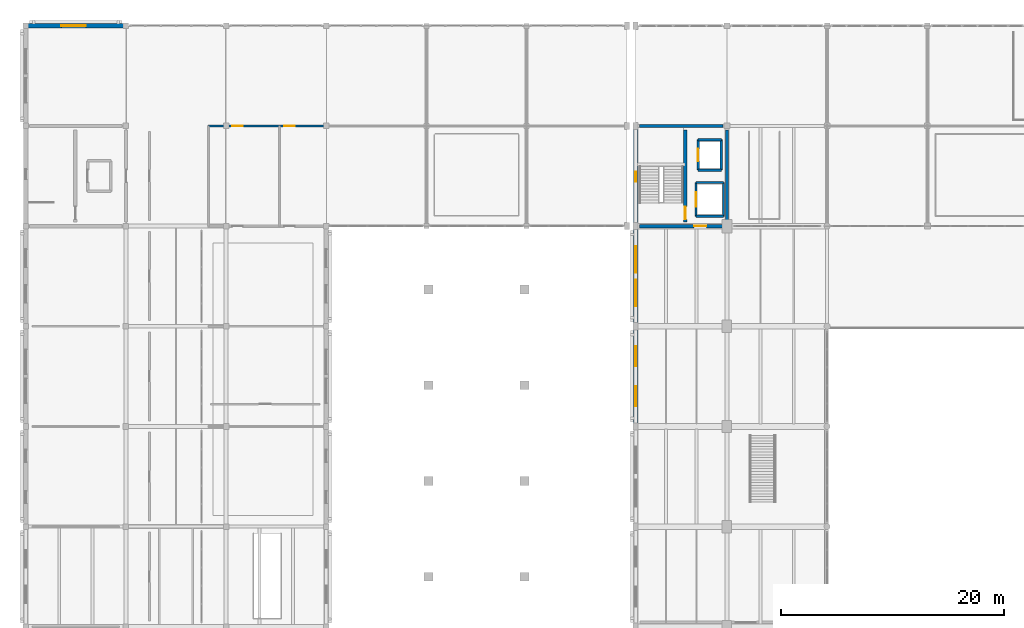
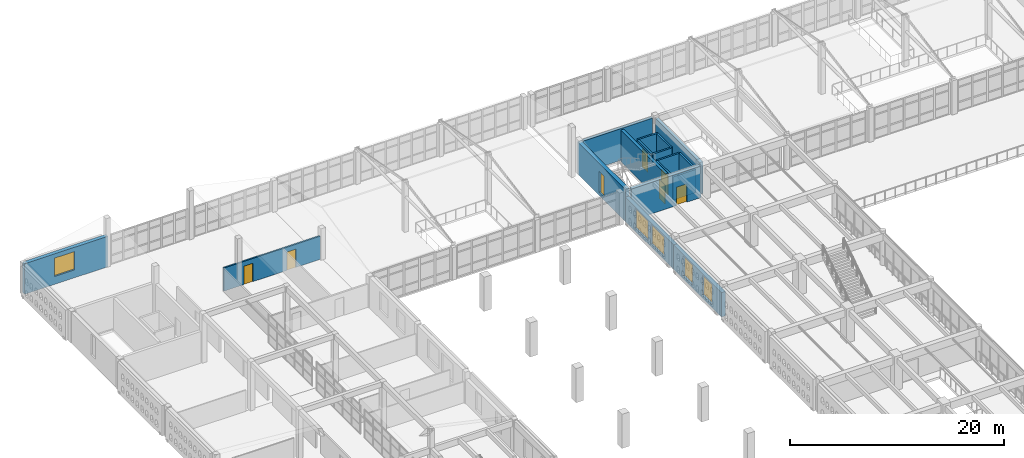
# One storey, part 132 of 156: 17 walls, 6 doors, 6 windows, 12 openings.
"""IFC4 building model written with IfcOpenShell, lengths in metres."""

import ifcopenshell
import ifcopenshell.guid

model = None  # the IFC model being written
_history = None  # IfcOwnerHistory: only IFC2X3 demands one
_inside = {}  # id of a spatial element -> (the spatial element, [elements in it])
_under = {}  # id of a project, library or spatial element -> (it, [spatial elements below it])
_declared = {}  # id of a project -> (the project, [libraries it declares])
_typed = {}  # id of a type object -> (the type object, [elements of that type])
_made_of = {}  # id of a material, layer set ... -> (it, [elements and type objects made of it])


def new_model(schema):
    """Start an empty IFC model of exactly this schema.

    Asked for "IFC4X3", IfcOpenShell would pick the latest addendum, in which some entities
    have other attributes; the version numbers below select the first issue.
    IFC2X3 requires an IfcOwnerHistory on every rooted entity: one is made here for all.
    """
    global model, _history
    if schema == "IFC4X3":
        model = ifcopenshell.file(schema_version=(4, 3, 0, 0))
    else:
        model = ifcopenshell.file(schema=schema)
    _inside.clear()
    _under.clear()
    _declared.clear()
    _typed.clear()
    _made_of.clear()
    _history = None
    if model.schema == "IFC2X3":
        org = make("IfcOrganization", Name="unknown")
        user = make(
            "IfcPersonAndOrganization",
            ThePerson=make("IfcPerson", FamilyName="unknown"),
            TheOrganization=org,
        )
        app = make(
            "IfcApplication",
            ApplicationDeveloper=org,
            Version="unknown",
            ApplicationFullName="unknown",
            ApplicationIdentifier="unknown",
        )
        _history = make(
            "IfcOwnerHistory",
            OwningUser=user,
            OwningApplication=app,
            ChangeAction="ADDED",
            CreationDate=0,
        )
    return model


def make(cls, **values):
    """One entity of the class cls with the attributes given. An attribute that is None is left unset."""
    return model.create_entity(
        cls, **{name: value for name, value in values.items() if value is not None}
    )


def rooted(cls, **values):
    """An entity with a GlobalId (a new one), such as an element, a storey or a relation."""
    return make(cls, GlobalId=ifcopenshell.guid.new(), OwnerHistory=_history, **values)


def si_unit(unit_type, name, prefix=None):
    """IfcSIUnit, for example si_unit("LENGTHUNIT", "METRE", prefix="MILLI")."""
    return make("IfcSIUnit", UnitType=unit_type, Prefix=prefix, Name=name)


def assignment(units):
    """IfcUnitAssignment: the units of a project."""
    return None if units is None else make("IfcUnitAssignment", Units=units)


def point(xyz):
    """IfcCartesianPoint."""
    return None if xyz is None else make("IfcCartesianPoint", Coordinates=xyz)


def direction(xyz):
    """IfcDirection."""
    return None if xyz is None else make("IfcDirection", DirectionRatios=xyz)


def frame(location, z_axis=None, x_axis=None):
    """IfcAxis2Placement3D, a coordinate frame: its origin and axes. An axis left out is left unset."""
    return make(
        "IfcAxis2Placement3D",
        Location=point(location),
        Axis=direction(z_axis),
        RefDirection=direction(x_axis),
    )


def frame_2d(location, x_axis=None):
    """IfcAxis2Placement2D, a coordinate frame in the plane: its origin and x axis."""
    return make(
        "IfcAxis2Placement2D", Location=point(location), RefDirection=direction(x_axis)
    )


def origin():
    """The frame at (0, 0, 0) with its axes left unset."""
    return frame((0.0, 0.0, 0.0))


def place(relative_to, where):
    """IfcLocalPlacement: puts the frame where relative to a parent placement (None: the world)."""
    return make(
        "IfcLocalPlacement", PlacementRelTo=relative_to, RelativePlacement=where
    )


def context(
    kind, dimensions, precision=None, world=None, true_north=None, identifier=None
):
    """IfcGeometricRepresentationContext, for example the 3D "Model" context."""
    return make(
        "IfcGeometricRepresentationContext",
        ContextIdentifier=identifier,
        ContextType=kind,
        CoordinateSpaceDimension=dimensions,
        Precision=precision,
        WorldCoordinateSystem=world,
        TrueNorth=true_north,
    )


def subcontext(parent, identifier, kind, view, scale=None):
    """IfcGeometricRepresentationSubContext, for example "Body" below "Model"."""
    return make(
        "IfcGeometricRepresentationSubContext",
        ContextIdentifier=identifier,
        ContextType=kind,
        ParentContext=parent,
        TargetScale=scale,
        TargetView=view,
    )


def project(units=None, contexts=None):
    """IfcProject with its units and contexts."""
    return rooted(
        "IfcProject",
        Name="project",
        RepresentationContexts=contexts,
        UnitsInContext=assignment(units),
    )


def spatial(cls, under=None, at=None, **own):
    """A site, building, storey or space (cls), placed at a placement, below another one or the project."""
    s = rooted(cls, ObjectPlacement=at, **own)
    if under is not None:
        _under.setdefault(under.id(), (under, []))[1].append(s)
    return s


def profile(cls, at=None, kind="AREA", **sizes):
    """A parametric profile (cls). Its sizes go by their IFC names, for example OverallWidth=200.0."""
    return make(cls, ProfileType=kind, Position=at, **sizes)


def rectangle(**sizes):
    """IfcRectangleProfileDef."""
    return profile("IfcRectangleProfileDef", **sizes)


def extrude(swept, where, along, depth):
    """IfcExtrudedAreaSolid: the profile swept, set in the frame where, extruded along a direction by depth."""
    return make(
        "IfcExtrudedAreaSolid",
        SweptArea=swept,
        Position=where,
        ExtrudedDirection=direction(along),
        Depth=depth,
    )


def shape(context_of_items, identifier, shape_type, items):
    """IfcShapeRepresentation: the items that make up one representation, for example the "Body"."""
    return make(
        "IfcShapeRepresentation",
        ContextOfItems=context_of_items,
        RepresentationIdentifier=identifier,
        RepresentationType=shape_type,
        Items=items,
    )


def material(Name=None, Category=None):
    """IfcMaterial."""
    return make("IfcMaterial", Name=Name, Category=Category)


def layer(
    of_material, thickness, ventilated=None, Name=None, Category=None, Priority=None
):
    """IfcMaterialLayer: one layer of a wall or slab, of a material (None: an air gap)."""
    return make(
        "IfcMaterialLayer",
        Material=of_material,
        LayerThickness=thickness,
        IsVentilated=ventilated,
        Name=Name,
        Category=Category,
        Priority=Priority,
    )


def layer_set(layers, Name=None):
    """IfcMaterialLayerSet."""
    return make("IfcMaterialLayerSet", MaterialLayers=layers, LayerSetName=Name)


def made_of(thing, what):
    """Note that an element or type object is made of a material, layer set ...; save() writes the relation."""
    if what is not None:
        _made_of.setdefault(what.id(), (what, []))[1].append(thing)
    return thing


def type_object(cls, material=None, **own):
    """A type object (cls), such as IfcWallType, which elements share."""
    return made_of(rooted(cls, **own), material)


def element(
    cls,
    number,
    at=None,
    inside=None,
    cuts=None,
    type_object=None,
    material=None,
    context=None,
    identifier="Body",
    shape_type=None,
    held_by="IfcProductDefinitionShape",
    body=None,
    shapes=None,
    **own,
):
    """One element of the class cls, such as IfcWall. Its Tag is "e" and its number.

    at: its placement. inside: the storey or other place that contains it. cuts: it is an
    opening in that element (IfcRelVoidsElement). A single representation is given by context,
    identifier, shape_type and body (its items); several are given by shapes. held_by: the class
    of the entity that holds the representations. save() writes the other relations.
    """
    e = rooted(cls, Tag="e%d" % number, ObjectPlacement=at, **own)
    if body is not None:
        shapes = [shape(context, identifier, shape_type, body)]
    if shapes is not None:
        e.Representation = make(held_by, Representations=shapes)
    if inside is not None:
        _inside.setdefault(inside.id(), (inside, []))[1].append(e)
    if cuts is not None:
        rooted(
            "IfcRelVoidsElement", RelatingBuildingElement=cuts, RelatedOpeningElement=e
        )
    if type_object is not None:
        _typed.setdefault(type_object.id(), (type_object, []))[1].append(e)
    return made_of(e, material)


def fill(opening, filler):
    """IfcRelFillsElement: the door or window that sits in an opening."""
    return rooted(
        "IfcRelFillsElement",
        RelatingOpeningElement=opening,
        RelatedBuildingElement=filler,
    )


def aggregate(whole, parts):
    """IfcRelAggregates: a whole, such as a stair, and the parts it consists of."""
    return rooted("IfcRelAggregates", RelatingObject=whole, RelatedObjects=parts)


def save(model, path):
    """Write the relations noted so far, then the file.

    IfcRelAggregates (storeys below a building ...), IfcRelContainedInSpatialStructure (elements
    in a storey), IfcRelDefinesByType, IfcRelAssociatesMaterial and IfcRelDeclares: one each for
    every whole, place, type object, material and project.
    """
    for whole, parts in _under.values():
        aggregate(whole, parts)
    for where, things in _inside.values():
        rooted(
            "IfcRelContainedInSpatialStructure",
            RelatedElements=things,
            RelatingStructure=where,
        )
    for kind, things in _typed.values():
        rooted("IfcRelDefinesByType", RelatedObjects=things, RelatingType=kind)
    for what, things in _made_of.values():
        rooted("IfcRelAssociatesMaterial", RelatedObjects=things, RelatingMaterial=what)
    for by, libraries in _declared.values():
        rooted("IfcRelDeclares", RelatingContext=by, RelatedDefinitions=libraries)
    model.write(path)


model = new_model("IFC4")

# Units and contexts
model_context = context("Model", 3, precision=1e-05, world=origin(), true_north=direction((0.0, 1.0)))
body_context = subcontext(model_context, "Body", "Model", "MODEL_VIEW")
ifc_project = project(units=[si_unit("LENGTHUNIT", "METRE"), si_unit("AREAUNIT", "SQUARE_METRE"), si_unit("VOLUMEUNIT", "CUBIC_METRE"), si_unit("PLANEANGLEUNIT", "RADIAN"), si_unit("MASSUNIT", "GRAM", prefix="KILO")], contexts=[model_context])

# Site, building, storey
site_placement = place(None, origin())
site = spatial("IfcSite", under=ifc_project, at=site_placement, CompositionType="ELEMENT")
building_placement = place(site_placement, origin())
building = spatial("IfcBuilding", under=site, at=building_placement, Name="Ornek Quay Market", CompositionType="ELEMENT")
storey_placement = place(building_placement, frame((0.0, 0.0, 4.5)))
storey = spatial("IfcBuildingStorey", under=building, at=storey_placement, Name="L01", CompositionType="ELEMENT", Elevation=4.5)

# Wall, opening, door
ifc_material_1 = material(Name="Concrete C40/50", Category="concrete")
ifc_layer_1 = layer(ifc_material_1, 0.300048828125, Name="Concrete C40/50", Category="concrete")
ifc_layer_set_1 = layer_set([ifc_layer_1], Name="Concrete C40/50")
wall_type_1 = type_object("IfcWallType", Name="WL-CORE-300", PredefinedType="SHEAR", material=ifc_layer_set_1)
wall_1_placement = place(storey_placement, frame((59.25, 92.35009765625, 0.0), z_axis=(0.0, 0.0, 1.0), x_axis=(0.0, 1.0, 0.0)))
wall_1 = element("IfcWall", 1, at=wall_1_placement, inside=storey, type_object=wall_type_1, Name="Interior wall W-CORE1-050", PredefinedType="SHEAR", context=body_context, shape_type="SweptSolid", body=[
    extrude(rectangle(XDim=8.2998046875, YDim=0.300048828125, at=frame_2d((4.14990234375, 0.0))), origin(), (0.0, 0.0, 1.0), 3.6201171875),
])
opening_1_placement = place(wall_1_placement, frame((0.25, 0.0, 0.0)))
opening_1 = element("IfcOpeningElement", 2, at=opening_1_placement, cuts=wall_1, Name="Opening FD-03-022", PredefinedType="OPENING", context=body_context, shape_type="SweptSolid", body=[
    extrude(rectangle(XDim=1.14990234375, YDim=2.14990234375, at=frame_2d((0.574951171875, 1.074951171875))), frame((0.0, 0.159912109375, 0.0), z_axis=(0.0, -1.0, 0.0), x_axis=(1.0, 0.0, 0.0)), (0.0, 0.0, 1.0), 0.320068359375),
])
ifc_material_2 = material(Name="Insulated fire-rated painted steel", Category="steel")
door_type_1 = type_object("IfcDoorType", Name="DR-FIRE-STAIR-1150x2150", OperationType="NOTDEFINED", PredefinedType="DOOR", material=ifc_material_2)
door_1_placement = place(opening_1_placement, origin())
door_1 = element("IfcDoor", 3, at=door_1_placement, inside=storey, type_object=door_type_1, Name="Interior door FD-03-022", OperationType="SINGLE_SWING_LEFT", OverallHeight=2.14990234375, OverallWidth=1.14990234375, PredefinedType="DOOR", context=body_context, shape_type="SweptSolid", body=[
    extrude(rectangle(XDim=1.14990234375, YDim=2.14990234375, at=frame_2d((0.574951171875, 1.074951171875))), frame((0.0, 0.02490234375, 0.0), z_axis=(0.0, -1.0, 0.0), x_axis=(1.0, 0.0, 0.0)), (0.0, 0.0, 1.0), 0.050048828125),
])
fill(opening_1, door_1)

# Wall
wall_2_placement = place(storey_placement, frame((63.0, 92.35009765625, 0.0), z_axis=(0.0, 0.0, 1.0), x_axis=(0.0, 1.0, 0.0)))
element("IfcWall", 4, at=wall_2_placement, inside=storey, type_object=wall_type_1, Name="Interior wall W-CORE1-051", PredefinedType="SHEAR", context=body_context, shape_type="SweptSolid", body=[
    extrude(rectangle(XDim=8.2998046875, YDim=0.300048828125, at=frame_2d((4.14990234375, 0.0))), origin(), (0.0, 0.0, 1.0), 3.6201171875),
])

# Wall, opening, door
wall_3_placement = place(storey_placement, frame((55.14990234375, 92.0, 0.0), z_axis=(0.0, 0.0, 1.0), x_axis=(1.0, 0.0, 0.0)))
wall_3 = element("IfcWall", 5, at=wall_3_placement, inside=storey, type_object=wall_type_1, Name="Interior wall W-CORE1-052", PredefinedType="SHEAR", context=body_context, shape_type="SweptSolid", body=[
    extrude(rectangle(XDim=7.5, YDim=0.300048828125, at=frame_2d((3.75, 0.0))), origin(), (0.0, 0.0, 1.0), 3.6201171875),
])
opening_2_placement = place(wall_3_placement, frame((4.89990234375, 0.0, 0.0)))
opening_2 = element("IfcOpeningElement", 6, at=opening_2_placement, cuts=wall_3, Name="Opening FD-04-023", PredefinedType="OPENING", context=body_context, shape_type="SweptSolid", body=[
    extrude(rectangle(XDim=1.10009765625, YDim=2.10009765625, at=frame_2d((0.550048828125, 1.050048828125))), frame((0.0, 0.159912109375, 0.0), z_axis=(0.0, -1.0, 0.0), x_axis=(1.0, 0.0, 0.0)), (0.0, 0.0, 1.0), 0.320068359375),
])
door_type_2 = type_object("IfcDoorType", Name="DR-FIRE-LOBBY-1100x2100", OperationType="NOTDEFINED", PredefinedType="DOOR", material=ifc_material_2)
door_2_placement = place(opening_2_placement, origin())
door_2 = element("IfcDoor", 7, at=door_2_placement, inside=storey, type_object=door_type_2, Name="Interior door FD-04-023", OperationType="SINGLE_SWING_RIGHT", OverallHeight=2.10009765625, OverallWidth=1.10009765625, PredefinedType="DOOR", context=body_context, shape_type="SweptSolid", body=[
    extrude(rectangle(XDim=1.10009765625, YDim=2.10009765625, at=frame_2d((0.550048828125, 1.050048828125))), frame((0.0, 0.02490234375, 0.0), z_axis=(0.0, -1.0, 0.0), x_axis=(1.0, 0.0, 0.0)), (0.0, 0.0, 1.0), 0.050048828125),
])
fill(opening_2, door_2)

# Wall
wall_4_placement = place(storey_placement, frame((55.14990234375, 101.0, 0.0), z_axis=(0.0, 0.0, 1.0), x_axis=(1.0, 0.0, 0.0)))
element("IfcWall", 8, at=wall_4_placement, inside=storey, type_object=wall_type_1, Name="Interior wall W-CORE1-053", PredefinedType="SHEAR", context=body_context, shape_type="SweptSolid", body=[
    extrude(rectangle(XDim=7.5, YDim=0.300048828125, at=frame_2d((3.75, 0.0))), origin(), (0.0, 0.0, 1.0), 3.6201171875),
])

# Wall, opening, window
ifc_material_3 = material(Name="Frost-resistant facing clay brick M200 F100", Category="masonry")
ifc_layer_2 = layer(ifc_material_3, 0.419921875, Name="Frost-resistant facing clay brick M200 F100", Category="masonry")
ifc_layer_set_2 = layer_set([ifc_layer_2], Name="Frost-resistant facing clay brick M200 F100")
wall_type_2 = type_object("IfcWallType", Name="WL-EXT-HALL-420", PredefinedType="STANDARD", material=ifc_layer_set_2)
wall_5_placement = place(storey_placement, frame((54.800048828125, 92.0, 0.0), z_axis=(0.0, 0.0, 1.0), x_axis=(0.0, 1.0, 0.0)))
wall_5 = element("IfcWall", 9, at=wall_5_placement, inside=storey, type_object=wall_type_2, Name="Exterior wall EW-111", PredefinedType="STANDARD", context=body_context, shape_type="SweptSolid", body=[
    extrude(rectangle(XDim=9.0, YDim=0.419921875, at=frame_2d((4.5, 0.0))), origin(), (0.0, 0.0, 1.0), 3.659912109375),
])
opening_3_placement = place(wall_5_placement, frame((4.0, 0.0, 0.35009765625)))
opening_3 = element("IfcOpeningElement", 10, at=opening_3_placement, cuts=wall_5, Name="Opening W-17-070", PredefinedType="OPENING", context=body_context, shape_type="SweptSolid", body=[
    extrude(rectangle(XDim=0.89990234375, YDim=2.39990234375, at=frame_2d((0.449951171875, 1.199951171875))), frame((0.0, 0.219970703125, 0.0), z_axis=(0.0, -1.0, 0.0), x_axis=(1.0, 0.0, 0.0)), (0.0, 0.0, 1.0), 0.43994140625),
])
ifc_material_4 = material(Name="Thermally broken bronze aluminium and triple low-e glass", Category="aluminium")
window_type_1 = type_object("IfcWindowType", Name="WN-CORE-900x2400", PartitioningType="SINGLE_PANEL", PredefinedType="WINDOW", material=ifc_material_4)
window_1_placement = place(opening_3_placement, origin())
window_1 = element("IfcWindow", 11, at=window_1_placement, inside=storey, type_object=window_type_1, Name="Window W-17-070", OverallHeight=2.39990234375, OverallWidth=0.89990234375, PartitioningType="SINGLE_PANEL", PredefinedType="WINDOW", context=body_context, shape_type="SweptSolid", body=[
    extrude(rectangle(XDim=0.89990234375, YDim=2.39990234375, at=frame_2d((0.449951171875, 1.199951171875))), frame((0.0, 0.030029296875, 0.0), z_axis=(0.0, -1.0, 0.0), x_axis=(1.0, 0.0, 0.0)), (0.0, 0.0, 1.0), 0.06005859375),
])
fill(opening_3, window_1)

# Wall, openings, windows
wall_6_placement = place(storey_placement, frame((54.800048828125, 74.0, 0.0), z_axis=(0.0, 0.0, 1.0), x_axis=(0.0, 1.0, 0.0)))
wall_6 = element("IfcWall", 12, at=wall_6_placement, inside=storey, type_object=wall_type_2, Name="Exterior wall EW-132", PredefinedType="STANDARD", context=body_context, shape_type="SweptSolid", body=[
    extrude(rectangle(XDim=9.0, YDim=0.419921875, at=frame_2d((4.5, 0.0))), origin(), (0.0, 0.0, 1.0), 2.7900390625),
])
opening_4_placement = place(wall_6_placement, frame((1.800048828125, 0.0, 0.35009765625)))
opening_4 = element("IfcOpeningElement", 13, at=opening_4_placement, cuts=wall_6, Name="Opening W-02-096", PredefinedType="OPENING", context=body_context, shape_type="SweptSolid", body=[
    extrude(rectangle(XDim=1.800048828125, YDim=2.260009765625, at=frame_2d((0.89990234375, 1.1298828125))), frame((0.0, 0.219970703125, 0.0), z_axis=(0.0, -1.0, 0.0), x_axis=(1.0, 0.0, 0.0)), (0.0, 0.0, 1.0), 0.43994140625),
])
opening_5_placement = place(wall_6_placement, frame((5.39990234375, 0.0, 0.35009765625)))
opening_5 = element("IfcOpeningElement", 14, at=opening_5_placement, cuts=wall_6, Name="Opening W-02-097", PredefinedType="OPENING", context=body_context, shape_type="SweptSolid", body=[
    extrude(rectangle(XDim=1.800048828125, YDim=2.260009765625, at=frame_2d((0.89990234375, 1.1298828125))), frame((0.0, 0.219970703125, 0.0), z_axis=(0.0, -1.0, 0.0), x_axis=(1.0, 0.0, 0.0)), (0.0, 0.0, 1.0), 0.43994140625),
])
window_type_2 = type_object("IfcWindowType", Name="WN-HALL-1800x2600", PartitioningType="DOUBLE_PANEL_VERTICAL", PredefinedType="WINDOW", material=ifc_material_4)
window_2_placement = place(opening_4_placement, origin())
window_2 = element("IfcWindow", 15, at=window_2_placement, inside=storey, type_object=window_type_2, Name="Window W-02-096", OverallHeight=2.260009765625, OverallWidth=1.800048828125, PartitioningType="SINGLE_PANEL", PredefinedType="WINDOW", context=body_context, shape_type="SweptSolid", body=[
    extrude(rectangle(XDim=1.800048828125, YDim=2.260009765625, at=frame_2d((0.89990234375, 1.1298828125))), frame((0.0, 0.030029296875, 0.0), z_axis=(0.0, -1.0, 0.0), x_axis=(1.0, 0.0, 0.0)), (0.0, 0.0, 1.0), 0.06005859375),
])
fill(opening_4, window_2)
window_3_placement = place(opening_5_placement, origin())
window_3 = element("IfcWindow", 16, at=window_3_placement, inside=storey, type_object=window_type_2, Name="Window W-02-097", OverallHeight=2.260009765625, OverallWidth=1.800048828125, PartitioningType="SINGLE_PANEL", PredefinedType="WINDOW", context=body_context, shape_type="SweptSolid", body=[
    extrude(rectangle(XDim=1.800048828125, YDim=2.260009765625, at=frame_2d((0.89990234375, 1.1298828125))), frame((0.0, 0.030029296875, 0.0), z_axis=(0.0, -1.0, 0.0), x_axis=(1.0, 0.0, 0.0)), (0.0, 0.0, 1.0), 0.06005859375),
])
fill(opening_5, window_3)

wall_7_placement = place(storey_placement, frame((54.800048828125, 83.0, 0.0), z_axis=(0.0, 0.0, 1.0), x_axis=(0.0, 1.0, 0.0)))
wall_7 = element("IfcWall", 17, at=wall_7_placement, inside=storey, type_object=wall_type_2, Name="Exterior wall EW-133", PredefinedType="STANDARD", context=body_context, shape_type="SweptSolid", body=[
    extrude(rectangle(XDim=9.0, YDim=0.419921875, at=frame_2d((4.5, 0.0))), origin(), (0.0, 0.0, 1.0), 2.7900390625),
])
opening_6_placement = place(wall_7_placement, frame((1.800048828125, 0.0, 0.35009765625)))
opening_6 = element("IfcOpeningElement", 18, at=opening_6_placement, cuts=wall_7, Name="Opening W-01-098", PredefinedType="OPENING", context=body_context, shape_type="SweptSolid", body=[
    extrude(rectangle(XDim=2.39990234375, YDim=2.260009765625, at=frame_2d((1.199951171875, 1.1298828125))), frame((0.0, 0.219970703125, 0.0), z_axis=(0.0, -1.0, 0.0), x_axis=(1.0, 0.0, 0.0)), (0.0, 0.0, 1.0), 0.43994140625),
])
opening_7_placement = place(wall_7_placement, frame((4.800048828125, 0.0, 0.35009765625)))
opening_7 = element("IfcOpeningElement", 19, at=opening_7_placement, cuts=wall_7, Name="Opening W-01-099", PredefinedType="OPENING", context=body_context, shape_type="SweptSolid", body=[
    extrude(rectangle(XDim=2.39990234375, YDim=2.260009765625, at=frame_2d((1.199951171875, 1.1298828125))), frame((0.0, 0.219970703125, 0.0), z_axis=(0.0, -1.0, 0.0), x_axis=(1.0, 0.0, 0.0)), (0.0, 0.0, 1.0), 0.43994140625),
])
window_type_3 = type_object("IfcWindowType", Name="WN-HALL-2400x2600", PartitioningType="DOUBLE_PANEL_VERTICAL", PredefinedType="WINDOW", material=ifc_material_4)
window_4_placement = place(opening_6_placement, origin())
window_4 = element("IfcWindow", 20, at=window_4_placement, inside=storey, type_object=window_type_3, Name="Window W-01-098", OverallHeight=2.260009765625, OverallWidth=2.39990234375, PartitioningType="SINGLE_PANEL", PredefinedType="WINDOW", context=body_context, shape_type="SweptSolid", body=[
    extrude(rectangle(XDim=2.39990234375, YDim=2.260009765625, at=frame_2d((1.199951171875, 1.1298828125))), frame((0.0, 0.030029296875, 0.0), z_axis=(0.0, -1.0, 0.0), x_axis=(1.0, 0.0, 0.0)), (0.0, 0.0, 1.0), 0.06005859375),
])
fill(opening_6, window_4)
window_5_placement = place(opening_7_placement, origin())
window_5 = element("IfcWindow", 21, at=window_5_placement, inside=storey, type_object=window_type_3, Name="Window W-01-099", OverallHeight=2.260009765625, OverallWidth=2.39990234375, PartitioningType="SINGLE_PANEL", PredefinedType="WINDOW", context=body_context, shape_type="SweptSolid", body=[
    extrude(rectangle(XDim=2.39990234375, YDim=2.260009765625, at=frame_2d((1.199951171875, 1.1298828125))), frame((0.0, 0.030029296875, 0.0), z_axis=(0.0, -1.0, 0.0), x_axis=(1.0, 0.0, 0.0)), (0.0, 0.0, 1.0), 0.06005859375),
])
fill(opening_7, window_5)

# Wall, opening, window
ifc_layer_3 = layer(ifc_material_3, 0.3798828125, Name="Frost-resistant facing clay brick M200 F100", Category="masonry")
ifc_layer_set_3 = layer_set([ifc_layer_3], Name="Frost-resistant facing clay brick M200 F100")
wall_type_3 = type_object("IfcWallType", Name="WL-EXT-WING-380", PredefinedType="STANDARD", material=ifc_layer_set_3)
wall_8_placement = place(storey_placement, frame((0.0, 110.0, 0.0), z_axis=(0.0, 0.0, 1.0), x_axis=(1.0, 0.0, 0.0)))
wall_8 = element("IfcWall", 22, at=wall_8_placement, inside=storey, type_object=wall_type_3, Name="Exterior wall EW-080", PredefinedType="STANDARD", context=body_context, shape_type="SweptSolid", body=[
    extrude(rectangle(XDim=9.0, YDim=0.3798828125, at=frame_2d((4.5, 0.0))), origin(), (0.0, 0.0, 1.0), 3.47998046875),
])
opening_8_placement = place(wall_8_placement, frame((3.199951171875, 0.0, 0.89990234375)))
opening_8 = element("IfcOpeningElement", 23, at=opening_8_placement, cuts=wall_8, Name="Opening W-12-062", PredefinedType="OPENING", context=body_context, shape_type="SweptSolid", body=[
    extrude(rectangle(XDim=2.199951171875, YDim=2.10009765625, at=frame_2d((1.10009765625, 1.050048828125))), frame((0.0, 0.199951171875, 0.0), z_axis=(0.0, -1.0, 0.0), x_axis=(1.0, 0.0, 0.0)), (0.0, 0.0, 1.0), 0.39990234375),
])
window_type_4 = type_object("IfcWindowType", Name="WN-WW-2200x2100", PartitioningType="DOUBLE_PANEL_VERTICAL", PredefinedType="WINDOW", material=ifc_material_4)
window_6_placement = place(opening_8_placement, origin())
window_6 = element("IfcWindow", 24, at=window_6_placement, inside=storey, type_object=window_type_4, Name="Window W-12-062", OverallHeight=2.10009765625, OverallWidth=2.199951171875, PartitioningType="SINGLE_PANEL", PredefinedType="WINDOW", context=body_context, shape_type="SweptSolid", body=[
    extrude(rectangle(XDim=2.199951171875, YDim=2.10009765625, at=frame_2d((1.10009765625, 1.050048828125))), frame((0.0, 0.030029296875, 0.0), z_axis=(0.0, -1.0, 0.0), x_axis=(1.0, 0.0, 0.0)), (0.0, 0.0, 1.0), 0.06005859375),
])
fill(opening_8, window_6)

# Wall, openings, doors
ifc_material_5 = material(Name="Ceramic-tiled masonry partition", Category="masonry")
ifc_layer_4 = layer(ifc_material_5, 0.159912109375, Name="Ceramic-tiled masonry partition", Category="masonry")
ifc_layer_set_4 = layer_set([ifc_layer_4], Name="Ceramic-tiled masonry partition")
wall_type_4 = type_object("IfcWallType", Name="WL-KIT-160", PredefinedType="PARTITIONING", material=ifc_layer_set_4)
wall_9_placement = place(storey_placement, frame((16.39990234375, 101.0, 0.0), z_axis=(0.0, 0.0, 1.0), x_axis=(1.0, 0.0, 0.0)))
wall_9 = element("IfcWall", 25, at=wall_9_placement, inside=storey, type_object=wall_type_4, Name="Interior wall W-INT2-265", PredefinedType="PARTITIONING", context=body_context, shape_type="SweptSolid", body=[
    extrude(rectangle(XDim=10.400146484375, YDim=0.159912109375, at=frame_2d((5.2001953125, 0.0))), origin(), (0.0, 0.0, 1.0), 2.64990234375),
])
opening_9_placement = place(wall_9_placement, frame((2.14990234375, 0.0, 0.0)))
opening_9 = element("IfcOpeningElement", 26, at=opening_9_placement, cuts=wall_9, Name="Opening ID-04-121", PredefinedType="OPENING", context=body_context, shape_type="SweptSolid", body=[
    extrude(rectangle(XDim=0.949951171875, YDim=2.10009765625, at=frame_2d((0.47509765625, 1.050048828125))), frame((0.0, 0.08984375, 0.0), z_axis=(0.0, -1.0, 0.0), x_axis=(1.0, 0.0, 0.0)), (0.0, 0.0, 1.0), 0.179931640625),
])
opening_10_placement = place(wall_9_placement, frame((6.800048828125, 0.0, 0.0)))
opening_10 = element("IfcOpeningElement", 27, at=opening_10_placement, cuts=wall_9, Name="Opening ID-04-122", PredefinedType="OPENING", context=body_context, shape_type="SweptSolid", body=[
    extrude(rectangle(XDim=0.949951171875, YDim=2.10009765625, at=frame_2d((0.47509765625, 1.050048828125))), frame((0.0, 0.08984375, 0.0), z_axis=(0.0, -1.0, 0.0), x_axis=(1.0, 0.0, 0.0)), (0.0, 0.0, 1.0), 0.179931640625),
])
ifc_material_6 = material(Name="Moisture-resistant laminate door", Category="other")
door_type_3 = type_object("IfcDoorType", Name="DR-INT-WC-950x2100", OperationType="NOTDEFINED", PredefinedType="DOOR", material=ifc_material_6)
door_3_placement = place(opening_9_placement, origin())
door_3 = element("IfcDoor", 28, at=door_3_placement, inside=storey, type_object=door_type_3, Name="Interior door ID-04-121", OperationType="SINGLE_SWING_RIGHT", OverallHeight=2.10009765625, OverallWidth=0.949951171875, PredefinedType="DOOR", context=body_context, shape_type="SweptSolid", body=[
    extrude(rectangle(XDim=0.949951171875, YDim=2.10009765625, at=frame_2d((0.47509765625, 1.050048828125))), frame((0.0, 0.02490234375, 0.0), z_axis=(0.0, -1.0, 0.0), x_axis=(1.0, 0.0, 0.0)), (0.0, 0.0, 1.0), 0.050048828125),
])
fill(opening_9, door_3)
door_4_placement = place(opening_10_placement, origin())
door_4 = element("IfcDoor", 29, at=door_4_placement, inside=storey, type_object=door_type_3, Name="Interior door ID-04-122", OperationType="SINGLE_SWING_LEFT", OverallHeight=2.10009765625, OverallWidth=0.949951171875, PredefinedType="DOOR", context=body_context, shape_type="SweptSolid", body=[
    extrude(rectangle(XDim=0.949951171875, YDim=2.10009765625, at=frame_2d((0.47509765625, 1.050048828125))), frame((0.0, 0.02490234375, 0.0), z_axis=(0.0, -1.0, 0.0), x_axis=(1.0, 0.0, 0.0)), (0.0, 0.0, 1.0), 0.050048828125),
])
fill(opening_10, door_4)

# Wall, opening, door
ifc_material_7 = material(Name="Concrete C35/45", Category="concrete")
ifc_layer_5 = layer(ifc_material_7, 0.199951171875, Name="Concrete C35/45", Category="concrete")
ifc_layer_set_5 = layer_set([ifc_layer_5], Name="Concrete C35/45")
wall_type_5 = type_object("IfcWallType", Name="WL-SHAFT-200", PredefinedType="SOLIDWALL", material=ifc_layer_set_5)
wall_10_placement = place(storey_placement, frame((60.2099609375, 92.8798828125, 0.0), z_axis=(0.0, 0.0, 1.0), x_axis=(0.0, 1.0, 0.0)))
wall_10 = element("IfcWall", 30, at=wall_10_placement, inside=storey, type_object=wall_type_5, Name="Interior wall W-CORE3-054", PredefinedType="SOLIDWALL", context=body_context, shape_type="SweptSolid", body=[
    extrude(rectangle(XDim=3.0400390625, YDim=0.199951171875, at=frame_2d((1.52001953125, 0.0))), origin(), (0.0, 0.0, 1.0), 2.64990234375),
])
opening_11_placement = place(wall_10_placement, frame((0.8701171875, 0.0, 0.0)))
opening_11 = element("IfcOpeningElement", 31, at=opening_11_placement, cuts=wall_10, Name="Opening LD-02-024", PredefinedType="OPENING", context=body_context, shape_type="SweptSolid", body=[
    extrude(rectangle(XDim=1.300048828125, YDim=2.199951171875, at=frame_2d((0.64990234375, 1.10009765625))), frame((0.0, 0.10986328125, 0.0), z_axis=(0.0, -1.0, 0.0), x_axis=(1.0, 0.0, 0.0)), (0.0, 0.0, 1.0), 0.219970703125),
])
ifc_material_8 = material(Name="Brushed stainless steel goods lift door", Category="steel")
door_type_4 = type_object("IfcDoorType", Name="DR-LIFT-1300x2200", OperationType="DOUBLE_DOOR_SLIDING", PredefinedType="DOOR", material=ifc_material_8)
door_5_placement = place(opening_11_placement, origin())
door_5 = element("IfcDoor", 32, at=door_5_placement, inside=storey, type_object=door_type_4, Name="Interior door LD-02-024", OperationType="DOUBLE_DOOR_SLIDING", OverallHeight=2.199951171875, OverallWidth=1.300048828125, PredefinedType="DOOR", context=body_context, shape_type="SweptSolid", body=[
    extrude(rectangle(XDim=1.300048828125, YDim=2.199951171875, at=frame_2d((0.64990234375, 1.10009765625))), frame((0.0, 0.02490234375, 0.0), z_axis=(0.0, -1.0, 0.0), x_axis=(1.0, 0.0, 0.0)), (0.0, 0.0, 1.0), 0.050048828125),
])
fill(opening_11, door_5)

# Walls
for number, where, z_axis, x_axis, name in (
    (33, (60.2099609375, 92.8798828125, 0.0), (0.0, 0.0, 1.0), (1.0, 0.0, 0.0), "Interior wall W-CORE3-055"),
    (34, (60.2099609375, 95.919921875, 0.0), (0.0, 0.0, 1.0), (1.0, 0.0, 0.0), "Interior wall W-CORE3-056"),
):
    element("IfcWall", number, at=place(storey_placement, frame(where, z_axis=z_axis, x_axis=x_axis)), inside=storey, type_object=wall_type_5, Name=name, PredefinedType="SOLIDWALL", context=body_context, shape_type="SweptSolid", body=[
        extrude(rectangle(XDim=2.47998046875, YDim=0.199951171875, at=frame_2d((1.239990234375, 0.0))), origin(), (0.0, 0.0, 1.0), 2.64990234375),
    ])
wall_11_placement = place(storey_placement, frame((62.68994140625, 92.8798828125, 0.0), z_axis=(0.0, 0.0, 1.0), x_axis=(0.0, 1.0, 0.0)))
element("IfcWall", 35, at=wall_11_placement, inside=storey, type_object=wall_type_5, Name="Interior wall W-CORE3-057", PredefinedType="SOLIDWALL", context=body_context, shape_type="SweptSolid", body=[
    extrude(rectangle(XDim=3.0400390625, YDim=0.199951171875, at=frame_2d((1.52001953125, 0.0))), origin(), (0.0, 0.0, 1.0), 2.64990234375),
])

# Wall, opening, door
wall_12_placement = place(storey_placement, frame((60.409912109375, 97.030029296875, 0.0), z_axis=(0.0, 0.0, 1.0), x_axis=(0.0, 1.0, 0.0)))
wall_12 = element("IfcWall", 36, at=wall_12_placement, inside=storey, type_object=wall_type_5, Name="Interior wall W-CORE3-058", PredefinedType="SOLIDWALL", context=body_context, shape_type="SweptSolid", body=[
    extrude(rectangle(XDim=2.739990234375, YDim=0.199951171875, at=frame_2d((1.3701171875, 0.0))), origin(), (0.0, 0.0, 1.0), 2.64990234375),
])
opening_12_placement = place(wall_12_placement, frame((0.820068359375, 0.0, 0.0)))
opening_12 = element("IfcOpeningElement", 37, at=opening_12_placement, cuts=wall_12, Name="Opening LD-01-025", PredefinedType="OPENING", context=body_context, shape_type="SweptSolid", body=[
    extrude(rectangle(XDim=1.10009765625, YDim=2.10009765625, at=frame_2d((0.550048828125, 1.050048828125))), frame((0.0, 0.10986328125, 0.0), z_axis=(0.0, -1.0, 0.0), x_axis=(1.0, 0.0, 0.0)), (0.0, 0.0, 1.0), 0.219970703125),
])
ifc_material_9 = material(Name="Brushed stainless steel landing door", Category="steel")
door_type_5 = type_object("IfcDoorType", Name="DR-LIFT-1100x2100", OperationType="SLIDING_TO_LEFT", PredefinedType="DOOR", material=ifc_material_9)
door_6_placement = place(opening_12_placement, origin())
door_6 = element("IfcDoor", 38, at=door_6_placement, inside=storey, type_object=door_type_5, Name="Interior door LD-01-025", OperationType="SLIDING_TO_LEFT", OverallHeight=2.10009765625, OverallWidth=1.10009765625, PredefinedType="DOOR", context=body_context, shape_type="SweptSolid", body=[
    extrude(rectangle(XDim=1.10009765625, YDim=2.10009765625, at=frame_2d((0.550048828125, 1.050048828125))), frame((0.0, 0.02490234375, 0.0), z_axis=(0.0, -1.0, 0.0), x_axis=(1.0, 0.0, 0.0)), (0.0, 0.0, 1.0), 0.050048828125),
])
fill(opening_12, door_6)

# Walls
for number, where, z_axis, x_axis, name in (
    (39, (60.409912109375, 97.030029296875, 0.0), (0.0, 0.0, 1.0), (1.0, 0.0, 0.0), "Interior wall W-CORE3-059"),
    (40, (60.409912109375, 99.77001953125, 0.0), (0.0, 0.0, 1.0), (1.0, 0.0, 0.0), "Interior wall W-CORE3-060"),
):
    element("IfcWall", number, at=place(storey_placement, frame(where, z_axis=z_axis, x_axis=x_axis)), inside=storey, type_object=wall_type_5, Name=name, PredefinedType="SOLIDWALL", context=body_context, shape_type="SweptSolid", body=[
        extrude(rectangle(XDim=2.080078125, YDim=0.199951171875, at=frame_2d((1.0400390625, 0.0))), origin(), (0.0, 0.0, 1.0), 2.64990234375),
    ])
wall_13_placement = place(storey_placement, frame((62.489990234375, 97.030029296875, 0.0), z_axis=(0.0, 0.0, 1.0), x_axis=(0.0, 1.0, 0.0)))
element("IfcWall", 41, at=wall_13_placement, inside=storey, type_object=wall_type_5, Name="Interior wall W-CORE3-061", PredefinedType="SOLIDWALL", context=body_context, shape_type="SweptSolid", body=[
    extrude(rectangle(XDim=2.739990234375, YDim=0.199951171875, at=frame_2d((1.3701171875, 0.0))), origin(), (0.0, 0.0, 1.0), 2.64990234375),
])

save(model, "model.ifc")
